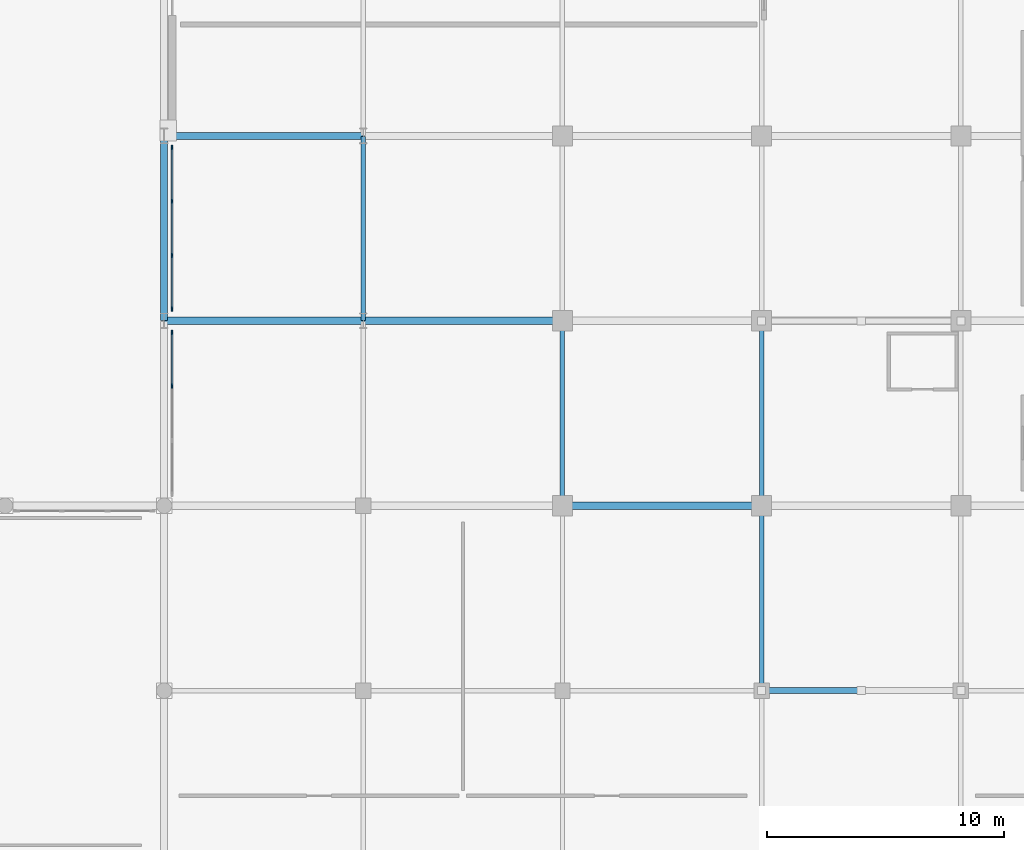
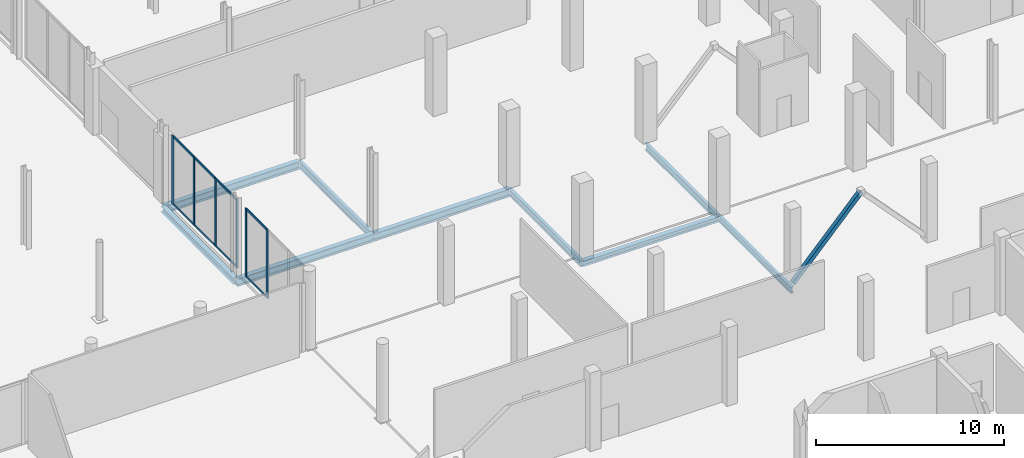
# One storey, part 36 of 80: 15 members, 9 beams, 2 elements without a shape of their own.
"""IFC4 building model written with IfcOpenShell, lengths in metres."""

from ifc_helpers import new_model, si_unit, direction, frame, origin, origin_2d, place, context, subcontext, project, spatial, rectangle, hollow_rectangle, i_section, extrude, material, material_profile, profile_set, type_object, element, aggregate, save


model = new_model("IFC4")

# Units and contexts
model_context = context("Model", 3, precision=1e-05, world=origin(), true_north=direction((0.0, 1.0)))
body_context = subcontext(model_context, "Body", "Model", "MODEL_VIEW")
ifc_project = project(units=[si_unit("LENGTHUNIT", "METRE"), si_unit("AREAUNIT", "SQUARE_METRE"), si_unit("VOLUMEUNIT", "CUBIC_METRE"), si_unit("PLANEANGLEUNIT", "RADIAN"), si_unit("MASSUNIT", "GRAM", prefix="KILO")], contexts=[model_context])

# Site, building, storey
site_placement = place(None, origin())
site = spatial("IfcSite", under=ifc_project, at=site_placement, CompositionType="ELEMENT")
building_placement = place(site_placement, origin())
building = spatial("IfcBuilding", under=site, at=building_placement, Name="Nabrawat Pavilion Hospital", CompositionType="ELEMENT")
storey_placement = place(building_placement, origin())
storey = spatial("IfcBuildingStorey", under=building, at=storey_placement, Name="L00", CompositionType="ELEMENT", Elevation=0.0)

# Curtain wall, members
ifc_material_1 = material(Name="Anodised Aluminium", Category="aluminium")
curtain_wall_type = type_object("IfcCurtainWallType", Name="Healing Garden Cloister Curtain Wall", PredefinedType="USERDEFINED", material=ifc_material_1)
curtain_wall_1_placement = place(storey_placement, origin())
curtain_wall_1 = element("IfcCurtainWall", 1, at=curtain_wall_1_placement, inside=storey, type_object=curtain_wall_type, Name="L00 Healing Garden Cloister Curtain Wall 024", ObjectType="CURTAIN WALL", PredefinedType="USERDEFINED")
ifc_material_profile_1 = material_profile(ifc_material_1, rectangle(XDim=0.06494140625, YDim=0.179931640625, at=origin_2d()), Name="CWM 65x180")
ifc_profile_set_1 = profile_set([ifc_material_profile_1], Name="Anodised Aluminium")
member_type_1 = type_object("IfcMemberType", Name="Healing Garden Cloister Curtain Wall Mullion CWM 65x180", PredefinedType="MULLION", material=ifc_profile_set_1)
member_1_placement = place(storey_placement, frame((126.340087890625, 44.044921875, 0.0), z_axis=(0.0, 0.0, 1.0), x_axis=(-1.0, 0.0, 0.0)))
member_1 = element("IfcMember", 2, at=member_1_placement, type_object=member_type_1, Name="CW-CLN-01 mullion 3", PredefinedType="MULLION", context=body_context, shape_type="SweptSolid", body=[
    extrude(rectangle(XDim=0.06494140625, YDim=0.179931640625, at=origin_2d()), origin(), (0.0, 0.0, 1.0), 4.43994140625),
])
member_2_placement = place(storey_placement, frame((126.340087890625, 46.302490234375, 0.0), z_axis=(0.0, 0.0, 1.0), x_axis=(-1.0, 0.0, 0.0)))
member_2 = element("IfcMember", 3, at=member_2_placement, type_object=member_type_1, Name="CW-CLN-01 mullion 4", PredefinedType="MULLION", context=body_context, shape_type="SweptSolid", body=[
    extrude(rectangle(XDim=0.06494140625, YDim=0.179931640625, at=origin_2d()), origin(), (0.0, 0.0, 1.0), 4.43994140625),
])

curtain_wall_2_placement = place(storey_placement, origin())
curtain_wall_2 = element("IfcCurtainWall", 4, at=curtain_wall_2_placement, inside=storey, type_object=curtain_wall_type, Name="L00 Healing Garden Cloister Curtain Wall 025", ObjectType="CURTAIN WALL", PredefinedType="USERDEFINED")
member_3_placement = place(storey_placement, frame((126.340087890625, 47.297607421875, 0.0), z_axis=(0.0, 0.0, 1.0), x_axis=(-1.0, 0.0, 0.0)))
member_3 = element("IfcMember", 5, at=member_3_placement, type_object=member_type_1, Name="CW-CLN-01 mullion 1", PredefinedType="MULLION", context=body_context, shape_type="SweptSolid", body=[
    extrude(rectangle(XDim=0.06494140625, YDim=0.179931640625, at=origin_2d()), origin(), (0.0, 0.0, 1.0), 4.43994140625),
])
member_4_placement = place(storey_placement, frame((126.340087890625, 49.554931640625, 0.0), z_axis=(0.0, 0.0, 1.0), x_axis=(-1.0, 0.0, 0.0)))
member_4 = element("IfcMember", 6, at=member_4_placement, type_object=member_type_1, Name="CW-CLN-01 mullion 2", PredefinedType="MULLION", context=body_context, shape_type="SweptSolid", body=[
    extrude(rectangle(XDim=0.06494140625, YDim=0.179931640625, at=origin_2d()), origin(), (0.0, 0.0, 1.0), 4.43994140625),
])
member_5_placement = place(storey_placement, frame((126.340087890625, 51.844970703125, 0.0), z_axis=(0.0, 0.0, 1.0), x_axis=(-1.0, 0.0, 0.0)))
member_5 = element("IfcMember", 7, at=member_5_placement, type_object=member_type_1, Name="CW-CLN-01 mullion 3", PredefinedType="MULLION", context=body_context, shape_type="SweptSolid", body=[
    extrude(rectangle(XDim=0.06494140625, YDim=0.179931640625, at=origin_2d()), origin(), (0.0, 0.0, 1.0), 4.43994140625),
])
member_6_placement = place(storey_placement, frame((126.340087890625, 54.1025390625, 0.0), z_axis=(0.0, 0.0, 1.0), x_axis=(-1.0, 0.0, 0.0)))
member_6 = element("IfcMember", 8, at=member_6_placement, type_object=member_type_1, Name="CW-CLN-01 mullion 4", PredefinedType="MULLION", context=body_context, shape_type="SweptSolid", body=[
    extrude(rectangle(XDim=0.06494140625, YDim=0.179931640625, at=origin_2d()), origin(), (0.0, 0.0, 1.0), 4.43994140625),
])

# Member
ifc_material_profile_2 = material_profile(ifc_material_1, rectangle(XDim=0.06494140625, YDim=0.135009765625, at=origin_2d()), Name="CWT 65x135")
ifc_profile_set_2 = profile_set([ifc_material_profile_2], Name="Anodised Aluminium")
member_type_2 = type_object("IfcMemberType", Name="Healing Garden Cloister Curtain Wall Transom CWT 65x135", PredefinedType="USERDEFINED", material=ifc_profile_set_2)
member_7_placement = place(storey_placement, frame((126.340087890625, 44.077392578125, 0.032470703125), z_axis=(0.0, 1.0, 0.0), x_axis=(-1.0, 0.0, 0.0)))
member_7 = element("IfcMember", 9, at=member_7_placement, type_object=member_type_2, Name="CW-CLN-01 transom 3.1", ObjectType="TRANSOM", PredefinedType="USERDEFINED", context=body_context, shape_type="SweptSolid", body=[
    extrude(rectangle(XDim=0.06494140625, YDim=0.135009765625, at=origin_2d()), origin(), (0.0, 0.0, 1.0), 2.192626953125),
])

member_8_placement = place(storey_placement, frame((126.340087890625, 44.077392578125, 4.407470703125), z_axis=(0.0, 1.0, 0.0), x_axis=(-1.0, 0.0, 0.0)))
member_8 = element("IfcMember", 10, at=member_8_placement, type_object=member_type_2, Name="CW-CLN-01 transom 3.2", ObjectType="TRANSOM", PredefinedType="USERDEFINED", context=body_context, shape_type="SweptSolid", body=[
    extrude(rectangle(XDim=0.06494140625, YDim=0.135009765625, at=origin_2d()), origin(), (0.0, 0.0, 1.0), 2.192626953125),
])

aggregate(curtain_wall_1, [member_1, member_2, member_7, member_8])

member_9_placement = place(storey_placement, frame((126.340087890625, 47.330078125, 0.032470703125), z_axis=(0.0, 1.0, 0.0), x_axis=(-1.0, 0.0, 0.0)))
member_9 = element("IfcMember", 11, at=member_9_placement, type_object=member_type_2, Name="CW-CLN-01 transom 1.1", ObjectType="TRANSOM", PredefinedType="USERDEFINED", context=body_context, shape_type="SweptSolid", body=[
    extrude(rectangle(XDim=0.06494140625, YDim=0.135009765625, at=origin_2d()), origin(), (0.0, 0.0, 1.0), 2.1923828125),
])

member_10_placement = place(storey_placement, frame((126.340087890625, 47.330078125, 4.407470703125), z_axis=(0.0, 1.0, 0.0), x_axis=(-1.0, 0.0, 0.0)))
member_10 = element("IfcMember", 12, at=member_10_placement, type_object=member_type_2, Name="CW-CLN-01 transom 1.2", ObjectType="TRANSOM", PredefinedType="USERDEFINED", context=body_context, shape_type="SweptSolid", body=[
    extrude(rectangle(XDim=0.06494140625, YDim=0.135009765625, at=origin_2d()), origin(), (0.0, 0.0, 1.0), 2.1923828125),
])

member_11_placement = place(storey_placement, frame((126.340087890625, 49.58740234375, 0.032470703125), z_axis=(0.0, 1.0, 0.0), x_axis=(-1.0, 0.0, 0.0)))
member_11 = element("IfcMember", 13, at=member_11_placement, type_object=member_type_2, Name="CW-CLN-01 transom 2.1", ObjectType="TRANSOM", PredefinedType="USERDEFINED", context=body_context, shape_type="SweptSolid", body=[
    extrude(rectangle(XDim=0.06494140625, YDim=0.135009765625, at=origin_2d()), origin(), (0.0, 0.0, 1.0), 2.22509765625),
])

member_12_placement = place(storey_placement, frame((126.340087890625, 49.58740234375, 4.407470703125), z_axis=(0.0, 1.0, 0.0), x_axis=(-1.0, 0.0, 0.0)))
member_12 = element("IfcMember", 14, at=member_12_placement, type_object=member_type_2, Name="CW-CLN-01 transom 2.2", ObjectType="TRANSOM", PredefinedType="USERDEFINED", context=body_context, shape_type="SweptSolid", body=[
    extrude(rectangle(XDim=0.06494140625, YDim=0.135009765625, at=origin_2d()), origin(), (0.0, 0.0, 1.0), 2.22509765625),
])

member_13_placement = place(storey_placement, frame((126.340087890625, 51.87744140625, 0.032470703125), z_axis=(0.0, 1.0, 0.0), x_axis=(-1.0, 0.0, 0.0)))
member_13 = element("IfcMember", 15, at=member_13_placement, type_object=member_type_2, Name="CW-CLN-01 transom 3.1", ObjectType="TRANSOM", PredefinedType="USERDEFINED", context=body_context, shape_type="SweptSolid", body=[
    extrude(rectangle(XDim=0.06494140625, YDim=0.135009765625, at=origin_2d()), origin(), (0.0, 0.0, 1.0), 2.192626953125),
])

member_14_placement = place(storey_placement, frame((126.340087890625, 51.87744140625, 4.407470703125), z_axis=(0.0, 1.0, 0.0), x_axis=(-1.0, 0.0, 0.0)))
member_14 = element("IfcMember", 16, at=member_14_placement, type_object=member_type_2, Name="CW-CLN-01 transom 3.2", ObjectType="TRANSOM", PredefinedType="USERDEFINED", context=body_context, shape_type="SweptSolid", body=[
    extrude(rectangle(XDim=0.06494140625, YDim=0.135009765625, at=origin_2d()), origin(), (0.0, 0.0, 1.0), 2.192626953125),
])

aggregate(curtain_wall_2, [member_3, member_4, member_5, member_6, member_9, member_10, member_11, member_12, member_13, member_14])

ifc_material_2 = material(Name="Steel S355", Category="steel")
ifc_material_profile_3 = material_profile(ifc_material_2, hollow_rectangle(XDim=0.25, YDim=0.25, WallThickness=0.012451171875, at=origin_2d()), Name="SHS 250x250x12.5")
ifc_profile_set_3 = profile_set([ifc_material_profile_3], Name="Steel S355")
member_type_3 = type_object("IfcMemberType", Name="Lower Seismic Chevron Brace SHS 250x250x12.5", PredefinedType="BRACE", material=ifc_profile_set_3)
member_15_placement = place(storey_placement, frame((151.199951171875, 31.199951171875, 0.050048828125), z_axis=(0.682314010889, 0.0, 0.73105922506), x_axis=(0.0, 1.0, 0.0)))
element("IfcMember", 17, at=member_15_placement, inside=storey, type_object=member_type_3, Name="L00 Seismic Concentric Chevron Brace 037", PredefinedType="BRACE", context=body_context, shape_type="SweptSolid", body=[
    extrude(hollow_rectangle(XDim=0.25, YDim=0.25, WallThickness=0.012451171875, at=origin_2d()), origin(), (0.0, 0.0, 1.0), 6.155517578125),
])

# Beams
ifc_material_profile_4 = material_profile(ifc_material_2, i_section(OverallWidth=0.300048828125, OverallDepth=0.389892578125, WebThickness=0.010986328125, FlangeThickness=0.01904296875, FilletRadius=0.027099609375, at=origin_2d()), Name="HEA 400")
ifc_profile_set_4 = profile_set([ifc_material_profile_4], Name="Steel S355")
beam_type_1 = type_object("IfcBeamType", Name="Perimeter Moment Spandrel Beam HEA 400", PredefinedType="SPANDREL", material=ifc_profile_set_4)
beam_1_placement = place(storey_placement, frame((126.0, 46.820068359375, -0.445068359375), z_axis=(0.0, 1.0, 0.0), x_axis=(-1.0, 0.0, 0.0)))
element("IfcBeam", 18, at=beam_1_placement, inside=storey, type_object=beam_type_1, Name="L00 Primary Y Beam 326", PredefinedType="SPANDREL", context=body_context, shape_type="SweptSolid", body=[
    extrude(i_section(OverallWidth=0.300048828125, OverallDepth=0.389892578125, WebThickness=0.010986328125, FlangeThickness=0.01904296875, FilletRadius=0.027099609375, at=origin_2d()), origin(), (0.0, 0.0, 1.0), 7.760009765625),
])
ifc_material_profile_5 = material_profile(ifc_material_2, i_section(OverallWidth=0.300048828125, OverallDepth=0.5, WebThickness=0.014404296875, FlangeThickness=0.028076171875, FilletRadius=0.027099609375, at=origin_2d()), Name="HEB 500")
ifc_profile_set_5 = profile_set([ifc_material_profile_5], Name="Steel S355")
beam_type_2 = type_object("IfcBeamType", Name="Primary Floor Girder HEB 500", PredefinedType="USERDEFINED", material=ifc_profile_set_5)
beam_2_placement = place(storey_placement, frame((126.02001953125, 46.800048828125, -0.5), z_axis=(1.0, 0.0, 0.0), x_axis=(0.0, 1.0, 0.0)))
element("IfcBeam", 19, at=beam_2_placement, inside=storey, type_object=beam_type_2, Name="L00 Primary X Girder 90", ObjectType="GIRDER", PredefinedType="USERDEFINED", context=body_context, shape_type="SweptSolid", body=[
    extrude(i_section(OverallWidth=0.300048828125, OverallDepth=0.5, WebThickness=0.014404296875, FlangeThickness=0.028076171875, FilletRadius=0.027099609375, at=origin_2d()), origin(), (0.0, 0.0, 1.0), 8.35986328125),
])
beam_3_placement = place(storey_placement, frame((134.419921875, 46.800048828125, -0.5), z_axis=(1.0, 0.0, 0.0), x_axis=(0.0, 1.0, 0.0)))
element("IfcBeam", 20, at=beam_3_placement, inside=storey, type_object=beam_type_2, Name="L00 Primary X Girder 91", ObjectType="GIRDER", PredefinedType="USERDEFINED", context=body_context, shape_type="SweptSolid", body=[
    extrude(i_section(OverallWidth=0.300048828125, OverallDepth=0.5, WebThickness=0.014404296875, FlangeThickness=0.028076171875, FilletRadius=0.027099609375, at=origin_2d()), origin(), (0.0, 0.0, 1.0), 8.360107421875),
])
beam_4_placement = place(storey_placement, frame((126.02001953125, 54.60009765625, -0.5), z_axis=(1.0, 0.0, 0.0), x_axis=(0.0, 1.0, 0.0)))
element("IfcBeam", 21, at=beam_4_placement, inside=storey, type_object=beam_type_2, Name="L00 Primary X Girder 102", ObjectType="GIRDER", PredefinedType="USERDEFINED", context=body_context, shape_type="SweptSolid", body=[
    extrude(i_section(OverallWidth=0.300048828125, OverallDepth=0.5, WebThickness=0.014404296875, FlangeThickness=0.028076171875, FilletRadius=0.027099609375, at=origin_2d()), origin(), (0.0, 0.0, 1.0), 8.35986328125),
])
ifc_material_profile_6 = material_profile(ifc_material_2, i_section(OverallWidth=0.18994140625, OverallDepth=0.449951171875, WebThickness=0.009521484375, FlangeThickness=0.0146484375, FilletRadius=0.02099609375, at=origin_2d()), Name="IPE 450")
ifc_profile_set_6 = profile_set([ifc_material_profile_6], Name="Steel S355")
beam_type_3 = type_object("IfcBeamType", Name="Primary Y Floor Beam IPE 450", PredefinedType="BEAM", material=ifc_profile_set_6)
for number, where, z_axis, x_axis, name in (
    (22, (134.39990234375, 46.820068359375, -0.47509765625), (0.0, 1.0, 0.0), (-1.0, 0.0, 0.0), "L00 Primary Y Beam 342"),
    (23, (142.800048828125, 39.02001953125, -0.47509765625), (0.0, 1.0, 0.0), (-1.0, 0.0, 0.0), "L00 Primary Y Beam 357"),
    (24, (151.199951171875, 39.02001953125, -0.47509765625), (0.0, 1.0, 0.0), (-1.0, 0.0, 0.0), "L00 Primary Y Beam 373"),
):
    element("IfcBeam", number, at=place(storey_placement, frame(where, z_axis=z_axis, x_axis=x_axis)), inside=storey, type_object=beam_type_3, Name=name, PredefinedType="BEAM", context=body_context, shape_type="SweptSolid", body=[
        extrude(i_section(OverallWidth=0.18994140625, OverallDepth=0.449951171875, WebThickness=0.009521484375, FlangeThickness=0.0146484375, FilletRadius=0.02099609375, at=origin_2d()), origin(), (0.0, 0.0, 1.0), 7.760009765625),
    ])
ifc_material_profile_7 = material_profile(ifc_material_2, i_section(OverallWidth=0.179931640625, OverallDepth=0.39990234375, WebThickness=0.008544921875, FlangeThickness=0.013427734375, FilletRadius=0.02099609375, at=origin_2d()), Name="IPE 400")
ifc_profile_set_7 = profile_set([ifc_material_profile_7], Name="Steel S355")
beam_type_4 = type_object("IfcBeamType", Name="Standard Y Floor Beam IPE 400", PredefinedType="BEAM", material=ifc_profile_set_7)
beam_5_placement = place(storey_placement, frame((151.199951171875, 31.219970703125, -0.429931640625), z_axis=(0.0, 1.0, 0.0), x_axis=(-1.0, 0.0, 0.0)))
element("IfcBeam", 25, at=beam_5_placement, inside=storey, type_object=beam_type_4, Name="L00 Primary Y Beam 372", PredefinedType="BEAM", context=body_context, shape_type="SweptSolid", body=[
    extrude(i_section(OverallWidth=0.179931640625, OverallDepth=0.39990234375, WebThickness=0.008544921875, FlangeThickness=0.013427734375, FilletRadius=0.02099609375, at=origin_2d()), origin(), (0.0, 0.0, 1.0), 7.760009765625),
])
ifc_material_profile_8 = material_profile(ifc_material_2, i_section(OverallWidth=0.300048828125, OverallDepth=0.340087890625, WebThickness=0.011962890625, FlangeThickness=0.021484375, FilletRadius=0.027099609375, at=origin_2d()), Name="HEB 340")
ifc_profile_set_8 = profile_set([ifc_material_profile_8], Name="Steel S355")
beam_type_5 = type_object("IfcBeamType", Name="Ward Perimeter Spandrel Beam HEB 340", PredefinedType="SPANDREL", material=ifc_profile_set_8)
beam_6_placement = place(storey_placement, frame((142.820068359375, 39.0, -0.419921875), z_axis=(1.0, 0.0, 0.0), x_axis=(0.0, 1.0, 0.0)))
element("IfcBeam", 26, at=beam_6_placement, inside=storey, type_object=beam_type_5, Name="L00 Primary X Girder 82", PredefinedType="SPANDREL", context=body_context, shape_type="SweptSolid", body=[
    extrude(i_section(OverallWidth=0.300048828125, OverallDepth=0.340087890625, WebThickness=0.011962890625, FlangeThickness=0.021484375, FilletRadius=0.027099609375, at=origin_2d()), origin(), (0.0, 0.0, 1.0), 8.35986328125),
])

save(model, "model.ifc")
